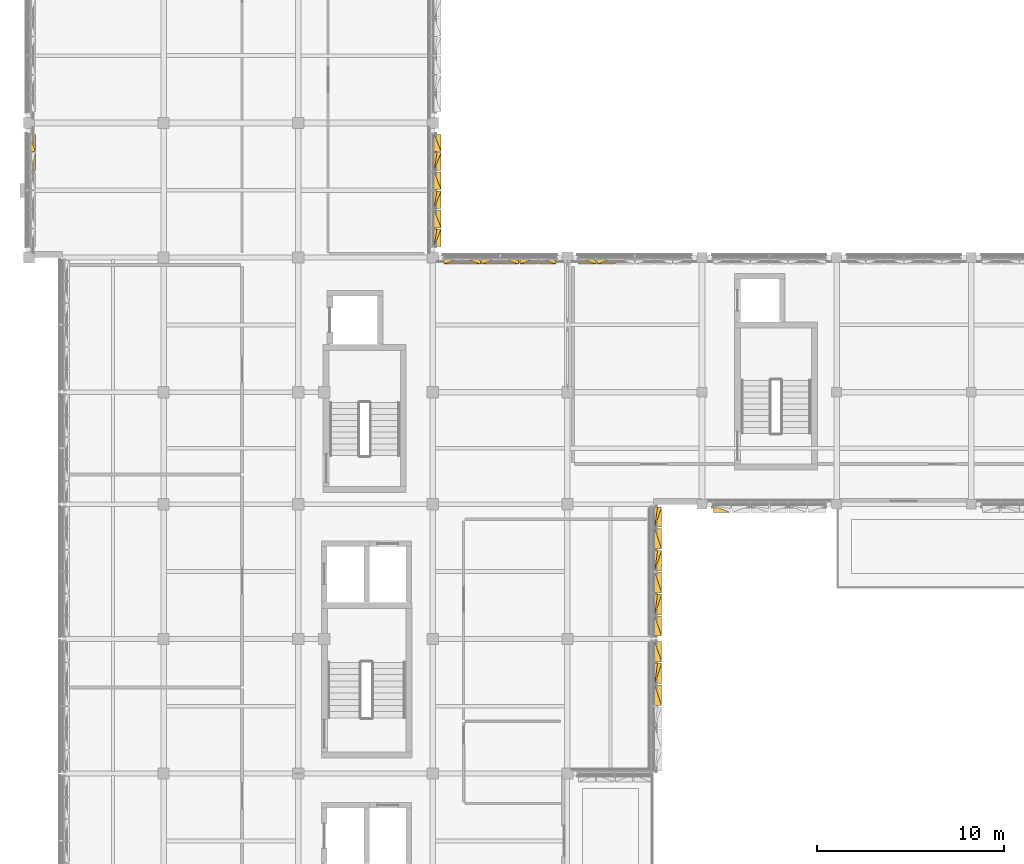
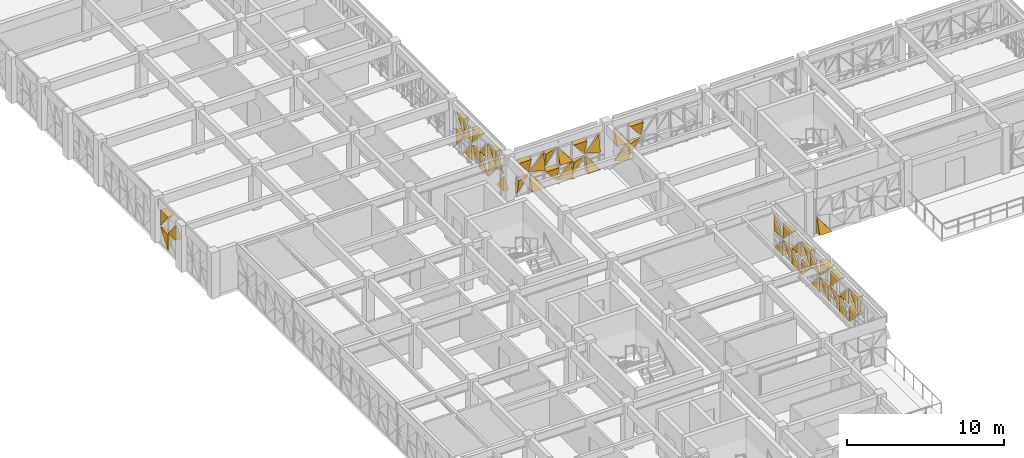
# One storey, part 67 of 74: 50 coverings.
"""IFC4 building model written with IfcOpenShell, lengths in metres."""

from ifc_helpers import new_model, si_unit, direction, frame, origin, place, context, subcontext, project, spatial, polygons, material, layer, layer_set, type_object, element, save


model = new_model("IFC4")

# Units and contexts
model_context = context("Model", 3, precision=1e-05, world=origin(), true_north=direction((0.0, 1.0)))
body_context = subcontext(model_context, "Body", "Model", "MODEL_VIEW")
ifc_project = project(units=[si_unit("LENGTHUNIT", "METRE"), si_unit("AREAUNIT", "SQUARE_METRE"), si_unit("VOLUMEUNIT", "CUBIC_METRE"), si_unit("PLANEANGLEUNIT", "RADIAN"), si_unit("MASSUNIT", "GRAM", prefix="KILO")], contexts=[model_context])

# Site, building, storey
site_placement = place(None, origin())
site = spatial("IfcSite", under=ifc_project, at=site_placement, CompositionType="ELEMENT")
building_placement = place(site_placement, origin())
building = spatial("IfcBuilding", under=site, at=building_placement, Name="Alvorim Cloister Faculty of Sciences", CompositionType="ELEMENT")
storey_placement = place(building_placement, frame((0.0, 0.0, 15.75)))
storey = spatial("IfcBuildingStorey", under=building, at=storey_placement, Name="L04", CompositionType="ELEMENT", Elevation=15.75)

# Coverings
ifc_material = material(Name="Perforated Bronze Alloy Sheet", Category="metal")
ifc_layer = layer(ifc_material, 0.0380859375)
ifc_layer_set = layer_set([ifc_layer], Name="Perforated Bronze Alloy Sheet")
covering_type = type_object("IfcCoveringType", Name="COV-TRI-BRZ", PredefinedType="CLADDING", material=ifc_layer_set)
covering_1_placement = place(storey_placement, frame((-0.044921875, 61.052490234375, 1.4951171875), z_axis=(0.0, 0.0, 1.0), x_axis=(0.0, 1.0, 0.0)))
element("IfcCovering", 1, at=covering_1_placement, inside=storey, type_object=covering_type, Name="Diagonal Solid Metal Triangle TRI-BL", PredefinedType="CLADDING", context=body_context, shape_type="Tessellation", body=[
    polygons([(0.0, 0.0260009765625, 0.0), (0.953078125, 0.0260009765625, 0.0), (0.0, 0.0260009765625, 1.21284375), (0.0, -0.4, 0.0), (0.953078125, -0.4, 0.0), (0.0, -0.03, 1.21284375)], [[[1, 3, 2]], [[4, 5, 6]], [[1, 2, 5, 4]], [[2, 3, 6, 5]], [[3, 1, 4, 6]]], closed=True),
])
covering_2_placement = place(storey_placement, frame((-0.044921875, 62.072509765625, 0.139892578125), z_axis=(0.0, 0.0, 1.0), x_axis=(0.0, 1.0, 0.0)))
element("IfcCovering", 2, at=covering_2_placement, inside=storey, type_object=covering_type, Name="Diagonal Solid Metal Triangle TRI-TL", PredefinedType="CLADDING", context=body_context, shape_type="Tessellation", body=[
    polygons([(0.920607421875, 0.0260009765625, 1.215087890625), (0.0, 0.0260009765625, 1.215087890625), (0.0, 0.0260009765625, 0.002), (0.920607421875, -0.03, 1.215087890625), (0.0, -0.4, 1.215087890625), (0.0, -0.13999999999999999, 0.002)], [[[1, 3, 2]], [[4, 5, 6]], [[1, 2, 5, 4]], [[2, 3, 6, 5]], [[3, 1, 4, 6]]], closed=True),
])
covering_3_placement = place(storey_placement, frame((-0.044921875, 62.072509765625, 1.4951171875), z_axis=(0.0, 0.0, 1.0), x_axis=(0.0, 1.0, 0.0)))
element("IfcCovering", 3, at=covering_3_placement, inside=storey, type_object=covering_type, Name="Diagonal Solid Metal Triangle TRI-TR", PredefinedType="CLADDING", context=body_context, shape_type="Tessellation", body=[
    polygons([(0.922607421875, 0.0260009765625, 0.002), (0.922607421875, 0.0260009765625, 1.21484375), (0.002, 0.0260009765625, 1.21484375), (0.922607421875, -0.03, 0.002), (0.922607421875, -0.4, 1.21484375), (0.002, -0.4, 1.21484375)], [[[1, 3, 2]], [[4, 5, 6]], [[1, 2, 5, 4]], [[2, 3, 6, 5]], [[3, 1, 4, 6]]], closed=True),
])
covering_4_placement = place(storey_placement, frame((21.64501953125, 57.0048828125, 0.139892578125), z_axis=(0.0, 0.0, 1.0), x_axis=(0.0, 1.0, 0.0)))
element("IfcCovering", 4, at=covering_4_placement, inside=storey, type_object=covering_type, Name="Diagonal Solid Metal Triangle TRI-BL", PredefinedType="CLADDING", context=body_context, shape_type="Tessellation", body=[
    polygons([(0.0, 0.0260009765625, 0.0), (0.920607421875, 0.0260009765625, 0.0), (0.0, 0.0260009765625, 1.213087890625), (0.0, -0.4, 0.0), (0.920607421875, -0.4, 0.0), (0.0, -0.03, 1.213087890625)], [[[1, 3, 2]], [[4, 5, 6]], [[1, 2, 5, 4]], [[2, 3, 6, 5]], [[3, 1, 4, 6]]], closed=True),
])
covering_5_placement = place(storey_placement, frame((21.64501953125, 57.0048828125, 1.4951171875), z_axis=(0.0, 0.0, 1.0), x_axis=(0.0, 1.0, 0.0)))
element("IfcCovering", 5, at=covering_5_placement, inside=storey, type_object=covering_type, Name="Diagonal Solid Metal Triangle TRI-BR", PredefinedType="CLADDING", context=body_context, shape_type="Tessellation", body=[
    polygons([(0.002, 0.0260009765625, 0.0), (0.922607421875, 0.0260009765625, 0.0), (0.922607421875, 0.0260009765625, 1.21284375), (0.002, -0.03, 0.0), (0.922607421875, -0.4, 0.0), (0.922607421875, -0.18000000000000002, 1.21284375)], [[[1, 3, 2]], [[4, 5, 6]], [[1, 2, 5, 4]], [[2, 3, 6, 5]], [[3, 1, 4, 6]]], closed=True),
])
covering_6_placement = place(storey_placement, frame((21.64501953125, 57.992431640625, 0.139892578125), z_axis=(0.0, 0.0, 1.0), x_axis=(0.0, 1.0, 0.0)))
element("IfcCovering", 6, at=covering_6_placement, inside=storey, type_object=covering_type, Name="Diagonal Solid Metal Triangle TRI-TR", PredefinedType="CLADDING", context=body_context, shape_type="Tessellation", body=[
    polygons([(0.955078125, 0.0260009765625, 0.002), (0.955078125, 0.0260009765625, 1.215087890625), (0.002, 0.0260009765625, 1.215087890625), (0.955078125, -0.03, 0.002), (0.955078125, -0.4, 1.215087890625), (0.002, -0.4, 1.215087890625)], [[[1, 3, 2]], [[4, 5, 6]], [[1, 2, 5, 4]], [[2, 3, 6, 5]], [[3, 1, 4, 6]]], closed=True),
])
covering_7_placement = place(storey_placement, frame((21.64501953125, 57.992431640625, 1.4951171875), z_axis=(0.0, 0.0, 1.0), x_axis=(0.0, 1.0, 0.0)))
element("IfcCovering", 7, at=covering_7_placement, inside=storey, type_object=covering_type, Name="Diagonal Solid Metal Triangle TRI-TL", PredefinedType="CLADDING", context=body_context, shape_type="Tessellation", body=[
    polygons([(0.953078125, 0.0260009765625, 1.21484375), (0.0, 0.0260009765625, 1.21484375), (0.0, 0.0260009765625, 0.002), (0.953078125, -0.03, 1.21484375), (0.0, -0.4, 1.21484375), (0.0, -0.13999999999999999, 0.002)], [[[1, 3, 2]], [[4, 5, 6]], [[1, 2, 5, 4]], [[2, 3, 6, 5]], [[3, 1, 4, 6]]], closed=True),
])
covering_8_placement = place(storey_placement, frame((21.64501953125, 59.012451171875, 0.139892578125), z_axis=(0.0, 0.0, 1.0), x_axis=(0.0, 1.0, 0.0)))
element("IfcCovering", 8, at=covering_8_placement, inside=storey, type_object=covering_type, Name="Diagonal Solid Metal Triangle TRI-BR", PredefinedType="CLADDING", context=body_context, shape_type="Tessellation", body=[
    polygons([(0.002, 0.0260009765625, 0.0), (0.955078125, 0.0260009765625, 0.0), (0.955078125, 0.0260009765625, 1.213087890625), (0.002, -0.03, 0.0), (0.955078125, -0.4, 0.0), (0.955078125, -0.18000000000000002, 1.213087890625)], [[[1, 3, 2]], [[4, 5, 6]], [[1, 2, 5, 4]], [[2, 3, 6, 5]], [[3, 1, 4, 6]]], closed=True),
])
covering_9_placement = place(storey_placement, frame((21.64501953125, 59.012451171875, 1.4951171875), z_axis=(0.0, 0.0, 1.0), x_axis=(0.0, 1.0, 0.0)))
element("IfcCovering", 9, at=covering_9_placement, inside=storey, type_object=covering_type, Name="Diagonal Solid Metal Triangle TRI-BL", PredefinedType="CLADDING", context=body_context, shape_type="Tessellation", body=[
    polygons([(0.0, 0.0260009765625, 0.0), (0.953078125, 0.0260009765625, 0.0), (0.0, 0.0260009765625, 1.21284375), (0.0, -0.4, 0.0), (0.953078125, -0.4, 0.0), (0.0, -0.03, 1.21284375)], [[[1, 3, 2]], [[4, 5, 6]], [[1, 2, 5, 4]], [[2, 3, 6, 5]], [[3, 1, 4, 6]]], closed=True),
])
covering_10_placement = place(storey_placement, frame((21.64501953125, 60.032470703125, 0.139892578125), z_axis=(0.0, 0.0, 1.0), x_axis=(0.0, 1.0, 0.0)))
element("IfcCovering", 10, at=covering_10_placement, inside=storey, type_object=covering_type, Name="Diagonal Solid Metal Triangle TRI-TL", PredefinedType="CLADDING", context=body_context, shape_type="Tessellation", body=[
    polygons([(0.953078125, 0.0260009765625, 1.215087890625), (0.0, 0.0260009765625, 1.215087890625), (0.0, 0.0260009765625, 0.002), (0.953078125, -0.03, 1.215087890625), (0.0, -0.4, 1.215087890625), (0.0, -0.13999999999999999, 0.002)], [[[1, 3, 2]], [[4, 5, 6]], [[1, 2, 5, 4]], [[2, 3, 6, 5]], [[3, 1, 4, 6]]], closed=True),
])
covering_11_placement = place(storey_placement, frame((21.64501953125, 60.032470703125, 1.4951171875), z_axis=(0.0, 0.0, 1.0), x_axis=(0.0, 1.0, 0.0)))
element("IfcCovering", 11, at=covering_11_placement, inside=storey, type_object=covering_type, Name="Diagonal Solid Metal Triangle TRI-TR", PredefinedType="CLADDING", context=body_context, shape_type="Tessellation", body=[
    polygons([(0.955078125, 0.0260009765625, 0.002), (0.955078125, 0.0260009765625, 1.21484375), (0.002, 0.0260009765625, 1.21484375), (0.955078125, -0.03, 0.002), (0.955078125, -0.4, 1.21484375), (0.002, -0.4, 1.21484375)], [[[1, 3, 2]], [[4, 5, 6]], [[1, 2, 5, 4]], [[2, 3, 6, 5]], [[3, 1, 4, 6]]], closed=True),
])
covering_12_placement = place(storey_placement, frame((21.64501953125, 61.052490234375, 0.139892578125), z_axis=(0.0, 0.0, 1.0), x_axis=(0.0, 1.0, 0.0)))
element("IfcCovering", 12, at=covering_12_placement, inside=storey, type_object=covering_type, Name="Diagonal Solid Metal Triangle TRI-BL", PredefinedType="CLADDING", context=body_context, shape_type="Tessellation", body=[
    polygons([(0.0, 0.0260009765625, 0.0), (0.953078125, 0.0260009765625, 0.0), (0.0, 0.0260009765625, 1.213087890625), (0.0, -0.4, 0.0), (0.953078125, -0.4, 0.0), (0.0, -0.03, 1.213087890625)], [[[1, 3, 2]], [[4, 5, 6]], [[1, 2, 5, 4]], [[2, 3, 6, 5]], [[3, 1, 4, 6]]], closed=True),
])
covering_13_placement = place(storey_placement, frame((21.64501953125, 61.052490234375, 1.4951171875), z_axis=(0.0, 0.0, 1.0), x_axis=(0.0, 1.0, 0.0)))
element("IfcCovering", 13, at=covering_13_placement, inside=storey, type_object=covering_type, Name="Diagonal Solid Metal Triangle TRI-BR", PredefinedType="CLADDING", context=body_context, shape_type="Tessellation", body=[
    polygons([(0.002, 0.0260009765625, 0.0), (0.955078125, 0.0260009765625, 0.0), (0.955078125, 0.0260009765625, 1.21284375), (0.002, -0.03, 0.0), (0.955078125, -0.4, 0.0), (0.955078125, -0.18000000000000002, 1.21284375)], [[[1, 3, 2]], [[4, 5, 6]], [[1, 2, 5, 4]], [[2, 3, 6, 5]], [[3, 1, 4, 6]]], closed=True),
])
covering_14_placement = place(storey_placement, frame((21.64501953125, 62.072509765625, 0.139892578125), z_axis=(0.0, 0.0, 1.0), x_axis=(0.0, 1.0, 0.0)))
element("IfcCovering", 14, at=covering_14_placement, inside=storey, type_object=covering_type, Name="Diagonal Solid Metal Triangle TRI-TR", PredefinedType="CLADDING", context=body_context, shape_type="Tessellation", body=[
    polygons([(0.922607421875, 0.0260009765625, 0.002), (0.922607421875, 0.0260009765625, 1.215087890625), (0.002, 0.0260009765625, 1.215087890625), (0.922607421875, -0.03, 0.002), (0.922607421875, -0.4, 1.215087890625), (0.002, -0.4, 1.215087890625)], [[[1, 3, 2]], [[4, 5, 6]], [[1, 2, 5, 4]], [[2, 3, 6, 5]], [[3, 1, 4, 6]]], closed=True),
])
covering_15_placement = place(storey_placement, frame((21.64501953125, 62.072509765625, 1.4951171875), z_axis=(0.0, 0.0, 1.0), x_axis=(0.0, 1.0, 0.0)))
element("IfcCovering", 15, at=covering_15_placement, inside=storey, type_object=covering_type, Name="Diagonal Solid Metal Triangle TRI-TL", PredefinedType="CLADDING", context=body_context, shape_type="Tessellation", body=[
    polygons([(0.920607421875, 0.0260009765625, 1.21484375), (0.0, 0.0260009765625, 1.21484375), (0.0, 0.0260009765625, 0.002), (0.920607421875, -0.03, 1.21484375), (0.0, -0.4, 1.21484375), (0.0, -0.13999999999999999, 0.002)], [[[1, 3, 2]], [[4, 5, 6]], [[1, 2, 5, 4]], [[2, 3, 6, 5]], [[3, 1, 4, 6]]], closed=True),
])
covering_16_placement = place(storey_placement, frame((22.205078125, 56.445068359375, 0.139892578125), z_axis=(0.0, 0.0, 1.0), x_axis=(1.0, 0.0, 0.0)))
element("IfcCovering", 16, at=covering_16_placement, inside=storey, type_object=covering_type, Name="Diagonal Solid Metal Triangle TRI-TL", PredefinedType="CLADDING", context=body_context, shape_type="Tessellation", body=[
    polygons([(0.920607421875, 0.0260009765625, 1.215087890625), (0.0, 0.0260009765625, 1.215087890625), (0.0, 0.0260009765625, 0.002), (0.920607421875, -0.03, 1.215087890625), (0.0, -0.4, 1.215087890625), (0.0, -0.13999999999999999, 0.002)], [[[1, 3, 2]], [[4, 5, 6]], [[1, 2, 5, 4]], [[2, 3, 6, 5]], [[3, 1, 4, 6]]], closed=True),
])
covering_17_placement = place(storey_placement, frame((22.205078125, 56.445068359375, 1.4951171875), z_axis=(0.0, 0.0, 1.0), x_axis=(1.0, 0.0, 0.0)))
element("IfcCovering", 17, at=covering_17_placement, inside=storey, type_object=covering_type, Name="Diagonal Solid Metal Triangle TRI-TR", PredefinedType="CLADDING", context=body_context, shape_type="Tessellation", body=[
    polygons([(0.922607421875, 0.0260009765625, 0.002), (0.922607421875, 0.0260009765625, 1.21484375), (0.002, 0.0260009765625, 1.21484375), (0.922607421875, -0.03, 0.002), (0.922607421875, -0.4, 1.21484375), (0.002, -0.4, 1.21484375)], [[[1, 3, 2]], [[4, 5, 6]], [[1, 2, 5, 4]], [[2, 3, 6, 5]], [[3, 1, 4, 6]]], closed=True),
])
covering_18_placement = place(storey_placement, frame((23.1923828125, 56.445068359375, 0.139892578125), z_axis=(0.0, 0.0, 1.0), x_axis=(1.0, 0.0, 0.0)))
element("IfcCovering", 18, at=covering_18_placement, inside=storey, type_object=covering_type, Name="Diagonal Solid Metal Triangle TRI-BL", PredefinedType="CLADDING", context=body_context, shape_type="Tessellation", body=[
    polygons([(0.0, 0.0260009765625, 0.0), (0.953078125, 0.0260009765625, 0.0), (0.0, 0.0260009765625, 1.213087890625), (0.0, -0.4, 0.0), (0.953078125, -0.4, 0.0), (0.0, -0.03, 1.213087890625)], [[[1, 3, 2]], [[4, 5, 6]], [[1, 2, 5, 4]], [[2, 3, 6, 5]], [[3, 1, 4, 6]]], closed=True),
])
covering_19_placement = place(storey_placement, frame((23.1923828125, 56.445068359375, 1.4951171875), z_axis=(0.0, 0.0, 1.0), x_axis=(1.0, 0.0, 0.0)))
element("IfcCovering", 19, at=covering_19_placement, inside=storey, type_object=covering_type, Name="Diagonal Solid Metal Triangle TRI-BR", PredefinedType="CLADDING", context=body_context, shape_type="Tessellation", body=[
    polygons([(0.002, 0.0260009765625, 0.0), (0.955078125, 0.0260009765625, 0.0), (0.955078125, 0.0260009765625, 1.21284375), (0.002, -0.03, 0.0), (0.955078125, -0.4, 0.0), (0.955078125, -0.18000000000000002, 1.21284375)], [[[1, 3, 2]], [[4, 5, 6]], [[1, 2, 5, 4]], [[2, 3, 6, 5]], [[3, 1, 4, 6]]], closed=True),
])
covering_20_placement = place(storey_placement, frame((24.21240234375, 56.445068359375, 0.139892578125), z_axis=(0.0, 0.0, 1.0), x_axis=(1.0, 0.0, 0.0)))
element("IfcCovering", 20, at=covering_20_placement, inside=storey, type_object=covering_type, Name="Diagonal Solid Metal Triangle TRI-TR", PredefinedType="CLADDING", context=body_context, shape_type="Tessellation", body=[
    polygons([(0.955078125, 0.0260009765625, 0.002), (0.955078125, 0.0260009765625, 1.215087890625), (0.002, 0.0260009765625, 1.215087890625), (0.955078125, -0.03, 0.002), (0.955078125, -0.4, 1.215087890625), (0.002, -0.4, 1.215087890625)], [[[1, 3, 2]], [[4, 5, 6]], [[1, 2, 5, 4]], [[2, 3, 6, 5]], [[3, 1, 4, 6]]], closed=True),
])
covering_21_placement = place(storey_placement, frame((24.21240234375, 56.445068359375, 1.4951171875), z_axis=(0.0, 0.0, 1.0), x_axis=(1.0, 0.0, 0.0)))
element("IfcCovering", 21, at=covering_21_placement, inside=storey, type_object=covering_type, Name="Diagonal Solid Metal Triangle TRI-TL", PredefinedType="CLADDING", context=body_context, shape_type="Tessellation", body=[
    polygons([(0.953078125, 0.0260009765625, 1.21484375), (0.0, 0.0260009765625, 1.21484375), (0.0, 0.0260009765625, 0.002), (0.953078125, -0.03, 1.21484375), (0.0, -0.4, 1.21484375), (0.0, -0.13999999999999999, 0.002)], [[[1, 3, 2]], [[4, 5, 6]], [[1, 2, 5, 4]], [[2, 3, 6, 5]], [[3, 1, 4, 6]]], closed=True),
])
covering_22_placement = place(storey_placement, frame((25.232421875, 56.445068359375, 0.139892578125), z_axis=(0.0, 0.0, 1.0), x_axis=(1.0, 0.0, 0.0)))
element("IfcCovering", 22, at=covering_22_placement, inside=storey, type_object=covering_type, Name="Diagonal Solid Metal Triangle TRI-BR", PredefinedType="CLADDING", context=body_context, shape_type="Tessellation", body=[
    polygons([(0.002, 0.0260009765625, 0.0), (0.955078125, 0.0260009765625, 0.0), (0.955078125, 0.0260009765625, 1.213087890625), (0.002, -0.03, 0.0), (0.955078125, -0.4, 0.0), (0.955078125, -0.18000000000000002, 1.213087890625)], [[[1, 3, 2]], [[4, 5, 6]], [[1, 2, 5, 4]], [[2, 3, 6, 5]], [[3, 1, 4, 6]]], closed=True),
])
covering_23_placement = place(storey_placement, frame((25.232421875, 56.445068359375, 1.4951171875), z_axis=(0.0, 0.0, 1.0), x_axis=(1.0, 0.0, 0.0)))
element("IfcCovering", 23, at=covering_23_placement, inside=storey, type_object=covering_type, Name="Diagonal Solid Metal Triangle TRI-BL", PredefinedType="CLADDING", context=body_context, shape_type="Tessellation", body=[
    polygons([(0.0, 0.0260009765625, 0.0), (0.953078125, 0.0260009765625, 0.0), (0.0, 0.0260009765625, 1.21284375), (0.0, -0.4, 0.0), (0.953078125, -0.4, 0.0), (0.0, -0.03, 1.21284375)], [[[1, 3, 2]], [[4, 5, 6]], [[1, 2, 5, 4]], [[2, 3, 6, 5]], [[3, 1, 4, 6]]], closed=True),
])
covering_24_placement = place(storey_placement, frame((26.25244140625, 56.445068359375, 0.139892578125), z_axis=(0.0, 0.0, 1.0), x_axis=(1.0, 0.0, 0.0)))
element("IfcCovering", 24, at=covering_24_placement, inside=storey, type_object=covering_type, Name="Diagonal Solid Metal Triangle TRI-TL", PredefinedType="CLADDING", context=body_context, shape_type="Tessellation", body=[
    polygons([(0.953078125, 0.0260009765625, 1.215087890625), (0.0, 0.0260009765625, 1.215087890625), (0.0, 0.0260009765625, 0.002), (0.953078125, -0.03, 1.215087890625), (0.0, -0.4, 1.215087890625), (0.0, -0.13999999999999999, 0.002)], [[[1, 3, 2]], [[4, 5, 6]], [[1, 2, 5, 4]], [[2, 3, 6, 5]], [[3, 1, 4, 6]]], closed=True),
])
covering_25_placement = place(storey_placement, frame((26.25244140625, 56.445068359375, 1.4951171875), z_axis=(0.0, 0.0, 1.0), x_axis=(1.0, 0.0, 0.0)))
element("IfcCovering", 25, at=covering_25_placement, inside=storey, type_object=covering_type, Name="Diagonal Solid Metal Triangle TRI-TR", PredefinedType="CLADDING", context=body_context, shape_type="Tessellation", body=[
    polygons([(0.955078125, 0.0260009765625, 0.002), (0.955078125, 0.0260009765625, 1.21484375), (0.002, 0.0260009765625, 1.21484375), (0.955078125, -0.03, 0.002), (0.955078125, -0.4, 1.21484375), (0.002, -0.4, 1.21484375)], [[[1, 3, 2]], [[4, 5, 6]], [[1, 2, 5, 4]], [[2, 3, 6, 5]], [[3, 1, 4, 6]]], closed=True),
])
covering_26_placement = place(storey_placement, frame((27.2724609375, 56.445068359375, 0.139892578125), z_axis=(0.0, 0.0, 1.0), x_axis=(1.0, 0.0, 0.0)))
element("IfcCovering", 26, at=covering_26_placement, inside=storey, type_object=covering_type, Name="Diagonal Solid Metal Triangle TRI-BL", PredefinedType="CLADDING", context=body_context, shape_type="Tessellation", body=[
    polygons([(0.0, 0.0260009765625, 0.0), (0.920607421875, 0.0260009765625, 0.0), (0.0, 0.0260009765625, 1.213087890625), (0.0, -0.4, 0.0), (0.920607421875, -0.4, 0.0), (0.0, -0.03, 1.213087890625)], [[[1, 3, 2]], [[4, 5, 6]], [[1, 2, 5, 4]], [[2, 3, 6, 5]], [[3, 1, 4, 6]]], closed=True),
])
covering_27_placement = place(storey_placement, frame((27.2724609375, 56.445068359375, 1.4951171875), z_axis=(0.0, 0.0, 1.0), x_axis=(1.0, 0.0, 0.0)))
element("IfcCovering", 27, at=covering_27_placement, inside=storey, type_object=covering_type, Name="Diagonal Solid Metal Triangle TRI-BR", PredefinedType="CLADDING", context=body_context, shape_type="Tessellation", body=[
    polygons([(0.002, 0.0260009765625, 0.0), (0.922607421875, 0.0260009765625, 0.0), (0.922607421875, 0.0260009765625, 1.21284375), (0.002, -0.03, 0.0), (0.922607421875, -0.4, 0.0), (0.922607421875, -0.18000000000000002, 1.21284375)], [[[1, 3, 2]], [[4, 5, 6]], [[1, 2, 5, 4]], [[2, 3, 6, 5]], [[3, 1, 4, 6]]], closed=True),
])
covering_28_placement = place(storey_placement, frame((29.405029296875, 56.445068359375, 0.139892578125), z_axis=(0.0, 0.0, 1.0), x_axis=(1.0, 0.0, 0.0)))
element("IfcCovering", 28, at=covering_28_placement, inside=storey, type_object=covering_type, Name="Diagonal Solid Metal Triangle TRI-BR", PredefinedType="CLADDING", context=body_context, shape_type="Tessellation", body=[
    polygons([(0.002, 0.0260009765625, 0.0), (0.922607421875, 0.0260009765625, 0.0), (0.922607421875, 0.0260009765625, 1.213087890625), (0.002, -0.03, 0.0), (0.922607421875, -0.4, 0.0), (0.922607421875, -0.18000000000000002, 1.213087890625)], [[[1, 3, 2]], [[4, 5, 6]], [[1, 2, 5, 4]], [[2, 3, 6, 5]], [[3, 1, 4, 6]]], closed=True),
])
covering_29_placement = place(storey_placement, frame((29.405029296875, 56.445068359375, 1.4951171875), z_axis=(0.0, 0.0, 1.0), x_axis=(1.0, 0.0, 0.0)))
element("IfcCovering", 29, at=covering_29_placement, inside=storey, type_object=covering_type, Name="Diagonal Solid Metal Triangle TRI-BL", PredefinedType="CLADDING", context=body_context, shape_type="Tessellation", body=[
    polygons([(0.0, 0.0260009765625, 0.0), (0.920607421875, 0.0260009765625, 0.0), (0.0, 0.0260009765625, 1.21284375), (0.0, -0.4, 0.0), (0.920607421875, -0.4, 0.0), (0.0, -0.03, 1.21284375)], [[[1, 3, 2]], [[4, 5, 6]], [[1, 2, 5, 4]], [[2, 3, 6, 5]], [[3, 1, 4, 6]]], closed=True),
])
covering_30_placement = place(storey_placement, frame((30.392578125, 56.445068359375, 0.139892578125), z_axis=(0.0, 0.0, 1.0), x_axis=(1.0, 0.0, 0.0)))
element("IfcCovering", 30, at=covering_30_placement, inside=storey, type_object=covering_type, Name="Diagonal Solid Metal Triangle TRI-TL", PredefinedType="CLADDING", context=body_context, shape_type="Tessellation", body=[
    polygons([(0.953078125, 0.0260009765625, 1.215087890625), (0.0, 0.0260009765625, 1.215087890625), (0.0, 0.0260009765625, 0.002), (0.953078125, -0.03, 1.215087890625), (0.0, -0.4, 1.215087890625), (0.0, -0.13999999999999999, 0.002)], [[[1, 3, 2]], [[4, 5, 6]], [[1, 2, 5, 4]], [[2, 3, 6, 5]], [[3, 1, 4, 6]]], closed=True),
])
covering_31_placement = place(storey_placement, frame((30.392578125, 56.445068359375, 1.4951171875), z_axis=(0.0, 0.0, 1.0), x_axis=(1.0, 0.0, 0.0)))
element("IfcCovering", 31, at=covering_31_placement, inside=storey, type_object=covering_type, Name="Diagonal Solid Metal Triangle TRI-TR", PredefinedType="CLADDING", context=body_context, shape_type="Tessellation", body=[
    polygons([(0.955078125, 0.0260009765625, 0.002), (0.955078125, 0.0260009765625, 1.21484375), (0.002, 0.0260009765625, 1.21484375), (0.955078125, -0.03, 0.002), (0.955078125, -0.4, 1.21484375), (0.002, -0.4, 1.21484375)], [[[1, 3, 2]], [[4, 5, 6]], [[1, 2, 5, 4]], [[2, 3, 6, 5]], [[3, 1, 4, 6]]], closed=True),
])
covering_32_placement = place(storey_placement, frame((36.60498046875, 43.155029296875, 0.139892578125), z_axis=(0.0, 0.0, 1.0), x_axis=(1.0, 0.0, 0.0)))
element("IfcCovering", 32, at=covering_32_placement, inside=storey, type_object=covering_type, Name="Diagonal Solid Metal Triangle TRI-BL", PredefinedType="CLADDING", context=body_context, shape_type="Tessellation", body=[
    polygons([(0.0, 0.0260009765625, 0.0), (0.920607421875, 0.0260009765625, 0.0), (0.0, 0.0260009765625, 1.213087890625), (0.0, -0.4, 0.0), (0.920607421875, -0.4, 0.0), (0.0, -0.03, 1.213087890625)], [[[1, 3, 2]], [[4, 5, 6]], [[1, 2, 5, 4]], [[2, 3, 6, 5]], [[3, 1, 4, 6]]], closed=True),
])
covering_33_placement = place(storey_placement, frame((33.445068359375, 36.14501953125, 0.139892578125), z_axis=(0.0, 0.0, 1.0), x_axis=(0.0, 1.0, 0.0)))
element("IfcCovering", 33, at=covering_33_placement, inside=storey, type_object=covering_type, Name="Diagonal Solid Metal Triangle TRI-TL", PredefinedType="CLADDING", context=body_context, shape_type="Tessellation", body=[
    polygons([(1.073927734375, 0.0260009765625, 1.218505859375), (0.0, 0.0260009765625, 1.218505859375), (0.0, 0.0260009765625, 0.002), (1.073927734375, -0.03, 1.218505859375), (0.0, -0.4, 1.218505859375), (0.0, -0.13999999999999999, 0.002)], [[[1, 3, 2]], [[4, 5, 6]], [[1, 2, 5, 4]], [[2, 3, 6, 5]], [[3, 1, 4, 6]]], closed=True),
])
covering_34_placement = place(storey_placement, frame((33.445068359375, 36.14501953125, 1.49853515625), z_axis=(0.0, 0.0, 1.0), x_axis=(0.0, 1.0, 0.0)))
element("IfcCovering", 34, at=covering_34_placement, inside=storey, type_object=covering_type, Name="Diagonal Solid Metal Triangle TRI-TR", PredefinedType="CLADDING", context=body_context, shape_type="Tessellation", body=[
    polygons([(1.075927734375, 0.0260009765625, 0.002), (1.075927734375, 0.0260009765625, 1.218505859375), (0.002, 0.0260009765625, 1.218505859375), (1.075927734375, -0.03, 0.002), (1.075927734375, -0.4, 1.218505859375), (0.002, -0.4, 1.218505859375)], [[[1, 3, 2]], [[4, 5, 6]], [[1, 2, 5, 4]], [[2, 3, 6, 5]], [[3, 1, 4, 6]]], closed=True),
])
covering_35_placement = place(storey_placement, frame((33.445068359375, 37.285888671875, 0.139892578125), z_axis=(0.0, 0.0, 1.0), x_axis=(0.0, 1.0, 0.0)))
element("IfcCovering", 35, at=covering_35_placement, inside=storey, type_object=covering_type, Name="Diagonal Solid Metal Triangle TRI-BL", PredefinedType="CLADDING", context=body_context, shape_type="Tessellation", body=[
    polygons([(0.0, 0.0260009765625, 0.0), (1.1063984375, 0.0260009765625, 0.0), (0.0, 0.0260009765625, 1.216505859375), (0.0, -0.4, 0.0), (1.1063984375, -0.4, 0.0), (0.0, -0.03, 1.216505859375)], [[[1, 3, 2]], [[4, 5, 6]], [[1, 2, 5, 4]], [[2, 3, 6, 5]], [[3, 1, 4, 6]]], closed=True),
])
covering_36_placement = place(storey_placement, frame((33.445068359375, 37.285888671875, 1.49853515625), z_axis=(0.0, 0.0, 1.0), x_axis=(0.0, 1.0, 0.0)))
element("IfcCovering", 36, at=covering_36_placement, inside=storey, type_object=covering_type, Name="Diagonal Solid Metal Triangle TRI-BR", PredefinedType="CLADDING", context=body_context, shape_type="Tessellation", body=[
    polygons([(0.002, 0.0260009765625, 0.0), (1.1083984375, 0.0260009765625, 0.0), (1.1083984375, 0.0260009765625, 1.216505859375), (0.002, -0.03, 0.0), (1.1083984375, -0.4, 0.0), (1.1083984375, -0.18000000000000002, 1.216505859375)], [[[1, 3, 2]], [[4, 5, 6]], [[1, 2, 5, 4]], [[2, 3, 6, 5]], [[3, 1, 4, 6]]], closed=True),
])
covering_37_placement = place(storey_placement, frame((33.445068359375, 38.459228515625, 0.139892578125), z_axis=(0.0, 0.0, 1.0), x_axis=(0.0, 1.0, 0.0)))
element("IfcCovering", 37, at=covering_37_placement, inside=storey, type_object=covering_type, Name="Diagonal Solid Metal Triangle TRI-TR", PredefinedType="CLADDING", context=body_context, shape_type="Tessellation", body=[
    polygons([(1.1083984375, 0.0260009765625, 0.002), (1.1083984375, 0.0260009765625, 1.218505859375), (0.002, 0.0260009765625, 1.218505859375), (1.1083984375, -0.03, 0.002), (1.1083984375, -0.4, 1.218505859375), (0.002, -0.4, 1.218505859375)], [[[1, 3, 2]], [[4, 5, 6]], [[1, 2, 5, 4]], [[2, 3, 6, 5]], [[3, 1, 4, 6]]], closed=True),
])
covering_38_placement = place(storey_placement, frame((33.445068359375, 38.459228515625, 1.49853515625), z_axis=(0.0, 0.0, 1.0), x_axis=(0.0, 1.0, 0.0)))
element("IfcCovering", 38, at=covering_38_placement, inside=storey, type_object=covering_type, Name="Diagonal Solid Metal Triangle TRI-TL", PredefinedType="CLADDING", context=body_context, shape_type="Tessellation", body=[
    polygons([(1.1063984375, 0.0260009765625, 1.218505859375), (0.0, 0.0260009765625, 1.218505859375), (0.0, 0.0260009765625, 0.002), (1.1063984375, -0.03, 1.218505859375), (0.0, -0.4, 1.218505859375), (0.0, -0.13999999999999999, 0.002)], [[[1, 3, 2]], [[4, 5, 6]], [[1, 2, 5, 4]], [[2, 3, 6, 5]], [[3, 1, 4, 6]]], closed=True),
])
covering_39_placement = place(storey_placement, frame((33.445068359375, 39.632568359375, 0.139892578125), z_axis=(0.0, 0.0, 1.0), x_axis=(0.0, 1.0, 0.0)))
element("IfcCovering", 39, at=covering_39_placement, inside=storey, type_object=covering_type, Name="Diagonal Solid Metal Triangle TRI-BR", PredefinedType="CLADDING", context=body_context, shape_type="Tessellation", body=[
    polygons([(0.002, 0.0260009765625, 0.0), (1.1083984375, 0.0260009765625, 0.0), (1.1083984375, 0.0260009765625, 1.216505859375), (0.002, -0.03, 0.0), (1.1083984375, -0.4, 0.0), (1.1083984375, -0.18000000000000002, 1.216505859375)], [[[1, 3, 2]], [[4, 5, 6]], [[1, 2, 5, 4]], [[2, 3, 6, 5]], [[3, 1, 4, 6]]], closed=True),
])
covering_40_placement = place(storey_placement, frame((33.445068359375, 39.632568359375, 1.49853515625), z_axis=(0.0, 0.0, 1.0), x_axis=(0.0, 1.0, 0.0)))
element("IfcCovering", 40, at=covering_40_placement, inside=storey, type_object=covering_type, Name="Diagonal Solid Metal Triangle TRI-BL", PredefinedType="CLADDING", context=body_context, shape_type="Tessellation", body=[
    polygons([(0.0, 0.0260009765625, 0.0), (1.1063984375, 0.0260009765625, 0.0), (0.0, 0.0260009765625, 1.216505859375), (0.0, -0.4, 0.0), (1.1063984375, -0.4, 0.0), (0.0, -0.03, 1.216505859375)], [[[1, 3, 2]], [[4, 5, 6]], [[1, 2, 5, 4]], [[2, 3, 6, 5]], [[3, 1, 4, 6]]], closed=True),
])
covering_41_placement = place(storey_placement, frame((33.445068359375, 40.805908203125, 0.139892578125), z_axis=(0.0, 0.0, 1.0), x_axis=(0.0, 1.0, 0.0)))
element("IfcCovering", 41, at=covering_41_placement, inside=storey, type_object=covering_type, Name="Diagonal Solid Metal Triangle TRI-TL", PredefinedType="CLADDING", context=body_context, shape_type="Tessellation", body=[
    polygons([(1.1063984375, 0.0260009765625, 1.218505859375), (0.0, 0.0260009765625, 1.218505859375), (0.0, 0.0260009765625, 0.002), (1.1063984375, -0.03, 1.218505859375), (0.0, -0.4, 1.218505859375), (0.0, -0.13999999999999999, 0.002)], [[[1, 3, 2]], [[4, 5, 6]], [[1, 2, 5, 4]], [[2, 3, 6, 5]], [[3, 1, 4, 6]]], closed=True),
])
covering_42_placement = place(storey_placement, frame((33.445068359375, 40.805908203125, 1.49853515625), z_axis=(0.0, 0.0, 1.0), x_axis=(0.0, 1.0, 0.0)))
element("IfcCovering", 42, at=covering_42_placement, inside=storey, type_object=covering_type, Name="Diagonal Solid Metal Triangle TRI-TR", PredefinedType="CLADDING", context=body_context, shape_type="Tessellation", body=[
    polygons([(1.1083984375, 0.0260009765625, 0.002), (1.1083984375, 0.0260009765625, 1.218505859375), (0.002, 0.0260009765625, 1.218505859375), (1.1083984375, -0.03, 0.002), (1.1083984375, -0.4, 1.218505859375), (0.002, -0.4, 1.218505859375)], [[[1, 3, 2]], [[4, 5, 6]], [[1, 2, 5, 4]], [[2, 3, 6, 5]], [[3, 1, 4, 6]]], closed=True),
])
covering_43_placement = place(storey_placement, frame((33.445068359375, 41.979248046875, 0.139892578125), z_axis=(0.0, 0.0, 1.0), x_axis=(0.0, 1.0, 0.0)))
element("IfcCovering", 43, at=covering_43_placement, inside=storey, type_object=covering_type, Name="Diagonal Solid Metal Triangle TRI-BL", PredefinedType="CLADDING", context=body_context, shape_type="Tessellation", body=[
    polygons([(0.0, 0.0260009765625, 0.0), (1.073927734375, 0.0260009765625, 0.0), (0.0, 0.0260009765625, 1.216505859375), (0.0, -0.4, 0.0), (1.073927734375, -0.4, 0.0), (0.0, -0.03, 1.216505859375)], [[[1, 3, 2]], [[4, 5, 6]], [[1, 2, 5, 4]], [[2, 3, 6, 5]], [[3, 1, 4, 6]]], closed=True),
])
covering_44_placement = place(storey_placement, frame((33.445068359375, 41.979248046875, 1.49853515625), z_axis=(0.0, 0.0, 1.0), x_axis=(0.0, 1.0, 0.0)))
element("IfcCovering", 44, at=covering_44_placement, inside=storey, type_object=covering_type, Name="Diagonal Solid Metal Triangle TRI-BR", PredefinedType="CLADDING", context=body_context, shape_type="Tessellation", body=[
    polygons([(0.002, 0.0260009765625, 0.0), (1.075927734375, 0.0260009765625, 0.0), (1.075927734375, 0.0260009765625, 1.216505859375), (0.002, -0.03, 0.0), (1.075927734375, -0.4, 0.0), (1.075927734375, -0.18000000000000002, 1.216505859375)], [[[1, 3, 2]], [[4, 5, 6]], [[1, 2, 5, 4]], [[2, 3, 6, 5]], [[3, 1, 4, 6]]], closed=True),
])
covering_45_placement = place(storey_placement, frame((33.445068359375, 32.4326171875, 0.139892578125), z_axis=(0.0, 0.0, 1.0), x_axis=(0.0, 1.0, 0.0)))
element("IfcCovering", 45, at=covering_45_placement, inside=storey, type_object=covering_type, Name="Diagonal Solid Metal Triangle TRI-TR", PredefinedType="CLADDING", context=body_context, shape_type="Tessellation", body=[
    polygons([(1.1083984375, 0.0260009765625, 0.002), (1.1083984375, 0.0260009765625, 1.218505859375), (0.002, 0.0260009765625, 1.218505859375), (1.1083984375, -0.03, 0.002), (1.1083984375, -0.4, 1.218505859375), (0.002, -0.4, 1.218505859375)], [[[1, 3, 2]], [[4, 5, 6]], [[1, 2, 5, 4]], [[2, 3, 6, 5]], [[3, 1, 4, 6]]], closed=True),
])
covering_46_placement = place(storey_placement, frame((33.445068359375, 32.4326171875, 1.49853515625), z_axis=(0.0, 0.0, 1.0), x_axis=(0.0, 1.0, 0.0)))
element("IfcCovering", 46, at=covering_46_placement, inside=storey, type_object=covering_type, Name="Diagonal Solid Metal Triangle TRI-TL", PredefinedType="CLADDING", context=body_context, shape_type="Tessellation", body=[
    polygons([(1.1063984375, 0.0260009765625, 1.218505859375), (0.0, 0.0260009765625, 1.218505859375), (0.0, 0.0260009765625, 0.002), (1.1063984375, -0.03, 1.218505859375), (0.0, -0.4, 1.218505859375), (0.0, -0.13999999999999999, 0.002)], [[[1, 3, 2]], [[4, 5, 6]], [[1, 2, 5, 4]], [[2, 3, 6, 5]], [[3, 1, 4, 6]]], closed=True),
])
covering_47_placement = place(storey_placement, frame((33.445068359375, 33.605712890625, 0.139892578125), z_axis=(0.0, 0.0, 1.0), x_axis=(0.0, 1.0, 0.0)))
element("IfcCovering", 47, at=covering_47_placement, inside=storey, type_object=covering_type, Name="Diagonal Solid Metal Triangle TRI-BR", PredefinedType="CLADDING", context=body_context, shape_type="Tessellation", body=[
    polygons([(0.002, 0.0260009765625, 0.0), (1.1083984375, 0.0260009765625, 0.0), (1.1083984375, 0.0260009765625, 1.216505859375), (0.002, -0.03, 0.0), (1.1083984375, -0.4, 0.0), (1.1083984375, -0.18000000000000002, 1.216505859375)], [[[1, 3, 2]], [[4, 5, 6]], [[1, 2, 5, 4]], [[2, 3, 6, 5]], [[3, 1, 4, 6]]], closed=True),
])
covering_48_placement = place(storey_placement, frame((33.445068359375, 33.605712890625, 1.49853515625), z_axis=(0.0, 0.0, 1.0), x_axis=(0.0, 1.0, 0.0)))
element("IfcCovering", 48, at=covering_48_placement, inside=storey, type_object=covering_type, Name="Diagonal Solid Metal Triangle TRI-BL", PredefinedType="CLADDING", context=body_context, shape_type="Tessellation", body=[
    polygons([(0.0, 0.0260009765625, 0.0), (1.1063984375, 0.0260009765625, 0.0), (0.0, 0.0260009765625, 1.216505859375), (0.0, -0.4, 0.0), (1.1063984375, -0.4, 0.0), (0.0, -0.03, 1.216505859375)], [[[1, 3, 2]], [[4, 5, 6]], [[1, 2, 5, 4]], [[2, 3, 6, 5]], [[3, 1, 4, 6]]], closed=True),
])
covering_49_placement = place(storey_placement, frame((33.445068359375, 34.779052734375, 0.139892578125), z_axis=(0.0, 0.0, 1.0), x_axis=(0.0, 1.0, 0.0)))
element("IfcCovering", 49, at=covering_49_placement, inside=storey, type_object=covering_type, Name="Diagonal Solid Metal Triangle TRI-TL", PredefinedType="CLADDING", context=body_context, shape_type="Tessellation", body=[
    polygons([(1.073927734375, 0.0260009765625, 1.218505859375), (0.0, 0.0260009765625, 1.218505859375), (0.0, 0.0260009765625, 0.002), (1.073927734375, -0.03, 1.218505859375), (0.0, -0.4, 1.218505859375), (0.0, -0.13999999999999999, 0.002)], [[[1, 3, 2]], [[4, 5, 6]], [[1, 2, 5, 4]], [[2, 3, 6, 5]], [[3, 1, 4, 6]]], closed=True),
])
covering_50_placement = place(storey_placement, frame((33.445068359375, 34.779052734375, 1.49853515625), z_axis=(0.0, 0.0, 1.0), x_axis=(0.0, 1.0, 0.0)))
element("IfcCovering", 50, at=covering_50_placement, inside=storey, type_object=covering_type, Name="Diagonal Solid Metal Triangle TRI-TR", PredefinedType="CLADDING", context=body_context, shape_type="Tessellation", body=[
    polygons([(1.075927734375, 0.0260009765625, 0.002), (1.075927734375, 0.0260009765625, 1.218505859375), (0.002, 0.0260009765625, 1.218505859375), (1.075927734375, -0.03, 0.002), (1.075927734375, -0.4, 1.218505859375), (0.002, -0.4, 1.218505859375)], [[[1, 3, 2]], [[4, 5, 6]], [[1, 2, 5, 4]], [[2, 3, 6, 5]], [[3, 1, 4, 6]]], closed=True),
])

save(model, "model.ifc")
